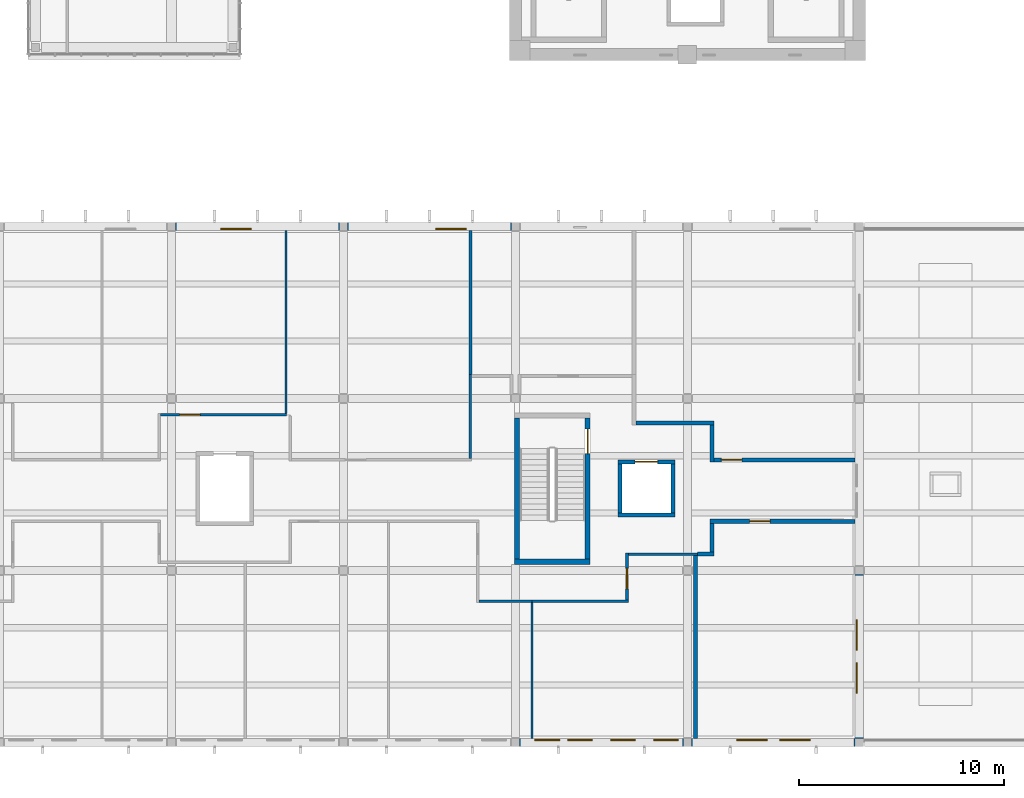
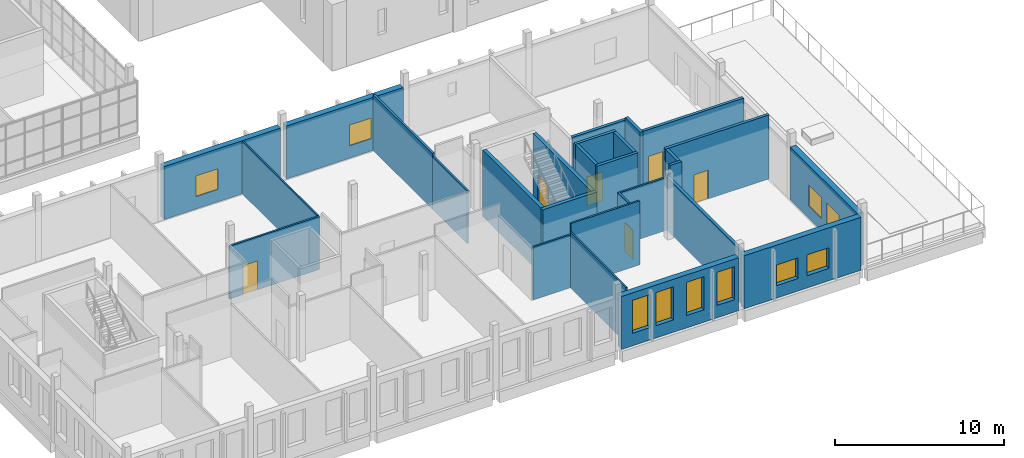
# One storey, part 51 of 103: 28 walls, 10 windows, 6 doors, 16 openings.
"""IFC4 building model written with IfcOpenShell, lengths in metres."""

from ifc_helpers import new_model, si_unit, direction, frame, frame_2d, origin, place, context, subcontext, project, spatial, rectangle, extrude, material, layer, layer_set, type_object, element, fill, save


model = new_model("IFC4")

# Units and contexts
model_context = context("Model", 3, precision=1e-05, world=origin(), true_north=direction((0.0, 1.0)))
body_context = subcontext(model_context, "Body", "Model", "MODEL_VIEW")
ifc_project = project(units=[si_unit("LENGTHUNIT", "METRE"), si_unit("AREAUNIT", "SQUARE_METRE"), si_unit("VOLUMEUNIT", "CUBIC_METRE"), si_unit("PLANEANGLEUNIT", "RADIAN"), si_unit("MASSUNIT", "GRAM", prefix="KILO")], contexts=[model_context])

# Site, building, storey
site_placement = place(None, origin())
site = spatial("IfcSite", under=ifc_project, at=site_placement, CompositionType="ELEMENT")
building_placement = place(site_placement, origin())
building = spatial("IfcBuilding", under=site, at=building_placement, Name="Larchfold Concert Hall", CompositionType="ELEMENT")
storey_placement = place(building_placement, frame((0.0, 0.0, 9.60009765625)))
storey = spatial("IfcBuildingStorey", under=building, at=storey_placement, Name="L02", CompositionType="ELEMENT", Elevation=9.60009765625)

# Wall
ifc_material_1 = material(Name="Plasterboard partition on steel studs", Category="steel")
ifc_layer_1 = layer(ifc_material_1, 0.199951171875)
ifc_layer_set_1 = layer_set([ifc_layer_1], Name="Plasterboard partition on steel studs")
wall_type_1 = type_object("IfcWallType", Name="Acoustic partition 200", PredefinedType="PARTITIONING", material=ifc_layer_set_1)
wall_1_placement = place(storey_placement, frame((43.0, 9.737548828125, 0.0), z_axis=(0.0, 0.0, 1.0), x_axis=(0.0, -1.0, 0.0)))
element("IfcWall", 1, at=wall_1_placement, inside=storey, type_object=wall_type_1, Name="Partition IW0077", PredefinedType="PARTITIONING", context=body_context, shape_type="SweptSolid", body=[
    extrude(rectangle(XDim=8.9375, YDim=0.199951171875, at=frame_2d((4.46875, 0.0))), origin(), (0.0, 0.0, 1.0), 3.840087890625),
])

# Wall, opening, door
wall_2_placement = place(storey_placement, frame((50.800048828125, 11.39990234375, 0.0), z_axis=(0.0, 0.0, 1.0), x_axis=(-0.99999998522, 0.00017192765, 0.0)))
wall_2 = element("IfcWall", 2, at=wall_2_placement, inside=storey, type_object=wall_type_1, Name="Partition IW0085", PredefinedType="PARTITIONING", context=body_context, shape_type="SweptSolid", body=[
    extrude(rectangle(XDim=7.10009765625, YDim=0.199951171875, at=frame_2d((3.550048828125, 0.0))), origin(), (0.0, 0.0, 1.0), 4.639892578125),
])
opening_1_placement = place(wall_2_placement, frame((4.159423828125, 0.0, 0.0)))
opening_1 = element("IfcOpeningElement", 3, at=opening_1_placement, cuts=wall_2, Name="Opening D-L02-128", PredefinedType="OPENING", context=body_context, shape_type="SweptSolid", body=[
    extrude(rectangle(XDim=1.0, YDim=2.10009765625, at=frame_2d((0.5, 1.050048828125))), frame((0.0, 0.10986328125, 0.0), z_axis=(0.0, -1.0, 0.0), x_axis=(1.0, 0.0, 0.0)), (0.0, 0.0, 1.0), 0.219970703125),
])
ifc_material_2 = material(Name="Timber door leaf", Category="wood")
door_type_1 = type_object("IfcDoorType", Name="Practice and studio door, acoustic 1000 x 2100 FD30S", OperationType="SINGLE_SWING_LEFT", PredefinedType="DOOR", material=ifc_material_2)
door_1_placement = place(opening_1_placement, origin())
door_1 = element("IfcDoor", 4, at=door_1_placement, inside=storey, type_object=door_type_1, Name="Door D-L02-128", OperationType="SINGLE_SWING_LEFT", OverallHeight=2.10009765625, OverallWidth=1.0, PredefinedType="DOOR", context=body_context, shape_type="SweptSolid", body=[
    extrude(rectangle(XDim=1.0, YDim=2.10009765625, at=frame_2d((0.5, 1.050048828125))), frame((0.0, 0.02490234375, 0.0), z_axis=(0.0, -1.0, 0.0), x_axis=(1.0, 0.0, 0.0)), (0.0, 0.0, 1.0), 0.050048828125),
])
fill(opening_1, door_1)

# Walls
wall_3_placement = place(storey_placement, frame((43.800048828125, 11.301025390625, 0.0), z_axis=(0.0, 0.0, 1.0), x_axis=(-0.000697471496, -0.999999756767, 0.0)))
element("IfcWall", 5, at=wall_3_placement, inside=storey, type_object=wall_type_1, Name="Partition IW0086", PredefinedType="PARTITIONING", context=body_context, shape_type="SweptSolid", body=[
    extrude(rectangle(XDim=1.400146484375, YDim=0.199951171875, at=frame_2d((0.7001953125, 0.0))), origin(), (0.0, 0.0, 1.0), 4.639892578125),
])
wall_4_placement = place(storey_placement, frame((43.89892578125, 9.801025390625, 0.0), z_axis=(0.0, 0.0, 1.0), x_axis=(-1.0, 0.0, 0.0)))
element("IfcWall", 6, at=wall_4_placement, inside=storey, type_object=wall_type_1, Name="Partition IW0087", PredefinedType="PARTITIONING", context=body_context, shape_type="SweptSolid", body=[
    extrude(rectangle(XDim=0.798828125, YDim=0.199951171875, at=frame_2d((0.3994140625, 0.0))), origin(), (0.0, 0.0, 1.0), 4.639892578125),
])
wall_5_placement = place(storey_placement, frame((40.10009765625, 16.198974609375, 0.0), z_axis=(0.0, 0.0, 1.0), x_axis=(1.0, 0.0, 0.0)))
element("IfcWall", 7, at=wall_5_placement, inside=storey, type_object=wall_type_1, Name="Partition IW0098", PredefinedType="PARTITIONING", context=body_context, shape_type="SweptSolid", body=[
    extrude(rectangle(XDim=3.798828125, YDim=0.199951171875, at=frame_2d((1.8994140625, 0.0))), origin(), (0.0, 0.0, 1.0), 3.840087890625),
])
wall_6_placement = place(storey_placement, frame((43.799072265625, 16.09912109375, 0.0), z_axis=(0.0, 0.0, 1.0), x_axis=(0.000542519926, -0.999999852836, 0.0)))
element("IfcWall", 8, at=wall_6_placement, inside=storey, type_object=wall_type_1, Name="Partition IW0099", PredefinedType="PARTITIONING", context=body_context, shape_type="SweptSolid", body=[
    extrude(rectangle(XDim=1.800048828125, YDim=0.199951171875, at=frame_2d((0.89990234375, 0.0))), origin(), (0.0, 0.0, 1.0), 4.039794921875),
])

# Wall, opening, door
wall_7_placement = place(storey_placement, frame((43.89990234375, 14.39892578125, 0.0), z_axis=(0.0, 0.0, 1.0), x_axis=(0.999999989985, 0.000141527791, 0.0)))
wall_7 = element("IfcWall", 9, at=wall_7_placement, inside=storey, type_object=wall_type_1, Name="Partition IW0100", PredefinedType="PARTITIONING", context=body_context, shape_type="SweptSolid", body=[
    extrude(rectangle(XDim=6.900146484375, YDim=0.199951171875, at=frame_2d((3.4501953125, 0.0))), origin(), (0.0, 0.0, 1.0), 4.039794921875),
])
opening_2_placement = place(wall_7_placement, frame((0.3623046875, 0.0, 0.0)))
opening_2 = element("IfcOpeningElement", 10, at=opening_2_placement, cuts=wall_7, Name="Opening D-L02-131", PredefinedType="OPENING", context=body_context, shape_type="SweptSolid", body=[
    extrude(rectangle(XDim=1.0, YDim=2.10009765625, at=frame_2d((0.5, 1.050048828125))), frame((0.0, 0.10986328125, 0.0), z_axis=(0.0, -1.0, 0.0), x_axis=(1.0, 0.0, 0.0)), (0.0, 0.0, 1.0), 0.219970703125),
])
door_2_placement = place(opening_2_placement, origin())
door_2 = element("IfcDoor", 11, at=door_2_placement, inside=storey, type_object=door_type_1, Name="Door D-L02-131", OperationType="SINGLE_SWING_LEFT", OverallHeight=2.10009765625, OverallWidth=1.0, PredefinedType="DOOR", context=body_context, shape_type="SweptSolid", body=[
    extrude(rectangle(XDim=1.0, YDim=2.10009765625, at=frame_2d((0.5, 1.050048828125))), frame((0.0, 0.02490234375, 0.0), z_axis=(0.0, -1.0, 0.0), x_axis=(1.0, 0.0, 0.0)), (0.0, 0.0, 1.0), 0.050048828125),
])
fill(opening_2, door_2)

# Walls
ifc_material_3 = material(Name="Plasterboard partition on steel studs", Category="steel")
ifc_layer_2 = layer(ifc_material_3, 0.125)
ifc_layer_set_2 = layer_set([ifc_layer_2], Name="Plasterboard partition on steel studs")
wall_type_2 = type_object("IfcWallType", Name="Corridor partition 125 EI 60", PredefinedType="PARTITIONING", material=ifc_layer_set_2)
wall_8_placement = place(storey_placement, frame((32.41259765625, 7.5, 0.0), z_axis=(0.0, 0.0, 1.0), x_axis=(1.0, 0.0, 0.0)))
element("IfcWall", 12, at=wall_8_placement, inside=storey, type_object=wall_type_2, Name="Partition IW0072", PredefinedType="PARTITIONING", context=body_context, shape_type="SweptSolid", body=[
    extrude(rectangle(XDim=2.58740234375, YDim=0.125, at=frame_2d((1.293701171875, 0.0))), origin(), (0.0, 0.0, 1.0), 3.840087890625),
])
wall_9_placement = place(storey_placement, frame((35.0, 7.5, 0.0), z_axis=(0.0, 0.0, 1.0), x_axis=(1.0, 0.0, 0.0)))
element("IfcWall", 13, at=wall_9_placement, inside=storey, type_object=wall_type_2, Name="Partition IW0074", PredefinedType="PARTITIONING", context=body_context, shape_type="SweptSolid", body=[
    extrude(rectangle(XDim=4.71240234375, YDim=0.125, at=frame_2d((2.356201171875, 0.0))), origin(), (0.0, 0.0, 1.0), 4.639892578125),
])

# Wall, opening, door
wall_10_placement = place(storey_placement, frame((39.64990234375, 7.5625, 0.0), z_axis=(0.0, 0.0, 1.0), x_axis=(0.0, 1.0, 0.0)))
wall_10 = element("IfcWall", 14, at=wall_10_placement, inside=storey, type_object=wall_type_2, Name="Partition IW0075", PredefinedType="PARTITIONING", context=body_context, shape_type="SweptSolid", body=[
    extrude(rectangle(XDim=2.300048828125, YDim=0.125, at=frame_2d((1.14990234375, 0.0))), origin(), (0.0, 0.0, 1.0), 3.840087890625),
])
opening_3_placement = place(wall_10_placement, frame((0.537353515625, 0.0, 0.0)))
opening_3 = element("IfcOpeningElement", 15, at=opening_3_placement, cuts=wall_10, Name="Opening D-L02-125", PredefinedType="OPENING", context=body_context, shape_type="SweptSolid", body=[
    extrude(rectangle(XDim=1.0, YDim=2.10009765625, at=frame_2d((0.5, 1.050048828125))), frame((0.0, 0.072509765625, 0.0), z_axis=(0.0, -1.0, 0.0), x_axis=(1.0, 0.0, 0.0)), (0.0, 0.0, 1.0), 0.14501953125),
])
ifc_material_4 = material(Name="Timber door leaf", Category="wood")
door_type_2 = type_object("IfcDoorType", Name="Room door 1000 x 2100 FD30S", OperationType="SINGLE_SWING_LEFT", PredefinedType="DOOR", material=ifc_material_4)
door_3_placement = place(opening_3_placement, origin())
door_3 = element("IfcDoor", 16, at=door_3_placement, inside=storey, type_object=door_type_2, Name="Door D-L02-125", OperationType="SINGLE_SWING_LEFT", OverallHeight=2.10009765625, OverallWidth=1.0, PredefinedType="DOOR", context=body_context, shape_type="SweptSolid", body=[
    extrude(rectangle(XDim=1.0, YDim=2.10009765625, at=frame_2d((0.5, 1.050048828125))), frame((0.0, 0.02490234375, 0.0), z_axis=(0.0, -1.0, 0.0), x_axis=(1.0, 0.0, 0.0)), (0.0, 0.0, 1.0), 0.050048828125),
])
fill(opening_3, door_3)

# Walls
wall_11_placement = place(storey_placement, frame((39.71240234375, 9.800048828125, 0.0), z_axis=(0.0, 0.0, 1.0), x_axis=(1.0, 0.0, 0.0)))
element("IfcWall", 17, at=wall_11_placement, inside=storey, type_object=wall_type_2, Name="Partition IW0076", PredefinedType="PARTITIONING", context=body_context, shape_type="SweptSolid", body=[
    extrude(rectangle(XDim=3.3876953125, YDim=0.125, at=frame_2d((1.69384765625, 0.0))), origin(), (0.0, 0.0, 1.0), 3.840087890625),
])
wall_12_placement = place(storey_placement, frame((32.0, 14.46142578125, 0.0), z_axis=(0.0, 0.0, 1.0), x_axis=(0.0, 1.0, 0.0)))
element("IfcWall", 18, at=wall_12_placement, inside=storey, type_object=wall_type_2, Name="Partition IW0096", PredefinedType="PARTITIONING", context=body_context, shape_type="SweptSolid", body=[
    extrude(rectangle(XDim=4.113525390625, YDim=0.125, at=frame_2d((2.056640625, 0.0))), origin(), (0.0, 0.0, 1.0), 3.840087890625),
])

# Wall, opening, door
wall_13_placement = place(storey_placement, frame((16.863525390625, 16.59912109375, 0.0), z_axis=(0.0, 0.0, 1.0), x_axis=(1.0, 0.0, 0.0)))
wall_13 = element("IfcWall", 19, at=wall_13_placement, inside=storey, type_object=wall_type_2, Name="Partition IW0103", PredefinedType="PARTITIONING", context=body_context, shape_type="SweptSolid", body=[
    extrude(rectangle(XDim=6.156494140625, YDim=0.125, at=frame_2d((3.078125, 0.0))), origin(), (0.0, 0.0, 1.0), 3.840087890625),
])
opening_4_placement = place(wall_13_placement, frame((0.927001953125, 0.0, 0.0)))
opening_4 = element("IfcOpeningElement", 20, at=opening_4_placement, cuts=wall_13, Name="Opening D-L02-132", PredefinedType="OPENING", context=body_context, shape_type="SweptSolid", body=[
    extrude(rectangle(XDim=1.0, YDim=2.10009765625, at=frame_2d((0.5, 1.050048828125))), frame((0.0, 0.072509765625, 0.0), z_axis=(0.0, -1.0, 0.0), x_axis=(1.0, 0.0, 0.0)), (0.0, 0.0, 1.0), 0.14501953125),
])
door_4_placement = place(opening_4_placement, origin())
door_4 = element("IfcDoor", 21, at=door_4_placement, inside=storey, type_object=door_type_2, Name="Door D-L02-132", OperationType="SINGLE_SWING_LEFT", OverallHeight=2.10009765625, OverallWidth=1.0, PredefinedType="DOOR", context=body_context, shape_type="SweptSolid", body=[
    extrude(rectangle(XDim=1.0, YDim=2.10009765625, at=frame_2d((0.5, 1.050048828125))), frame((0.0, 0.02490234375, 0.0), z_axis=(0.0, -1.0, 0.0), x_axis=(1.0, 0.0, 0.0)), (0.0, 0.0, 1.0), 0.050048828125),
])
fill(opening_4, door_4)

# Wall, openings, windows
ifc_material_5 = material(Name="Larch cladding on mineral wool and CLT", Category="wood")
ifc_layer_3 = layer(ifc_material_5, 0.39990234375)
ifc_layer_set_3 = layer_set([ifc_layer_3], Name="Larch cladding on mineral wool and CLT")
wall_type_3 = type_object("IfcWallType", Name="Larch clad infill wall 400", PredefinedType="SOLIDWALL", material=ifc_layer_set_3)
wall_14_placement = place(storey_placement, frame((51.0, 0.800048828125, 0.0), z_axis=(0.0, 0.0, 1.0), x_axis=(0.0, 1.0, 0.0)))
wall_14 = element("IfcWall", 22, at=wall_14_placement, inside=storey, type_object=wall_type_3, Name="Infill wall W5034", PredefinedType="SOLIDWALL", context=body_context, shape_type="SweptSolid", body=[
    extrude(rectangle(XDim=8.0, YDim=0.39990234375, at=frame_2d((4.0, 0.0))), origin(), (0.0, 0.0, 1.0), 3.840087890625),
])
opening_5_placement = place(wall_14_placement, frame((2.199951171875, 0.0, 0.89990234375)))
opening_5 = element("IfcOpeningElement", 23, at=opening_5_placement, cuts=wall_14, Name="Opening WN-L02-017", PredefinedType="OPENING", context=body_context, shape_type="SweptSolid", body=[
    extrude(rectangle(XDim=1.5, YDim=1.5, at=frame_2d((0.75, 0.75))), frame((0.0, 0.2099609375, 0.0), z_axis=(0.0, -1.0, 0.0), x_axis=(1.0, 0.0, 0.0)), (0.0, 0.0, 1.0), 0.419921875),
])
opening_6_placement = place(wall_14_placement, frame((4.300048828125, 0.0, 0.89990234375)))
opening_6 = element("IfcOpeningElement", 24, at=opening_6_placement, cuts=wall_14, Name="Opening WN-L02-018", PredefinedType="OPENING", context=body_context, shape_type="SweptSolid", body=[
    extrude(rectangle(XDim=1.5, YDim=1.5, at=frame_2d((0.75, 0.75))), frame((0.0, 0.2099609375, 0.0), z_axis=(0.0, -1.0, 0.0), x_axis=(1.0, 0.0, 0.0)), (0.0, 0.0, 1.0), 0.419921875),
])
ifc_material_6 = material(Name="Anodised graphite aluminium frame with glass", Category="aluminium")
window_type_1 = type_object("IfcWindowType", Name="Studio window 1500x1500", PartitioningType="DOUBLE_PANEL_VERTICAL", PredefinedType="WINDOW", material=ifc_material_6)
window_1_placement = place(opening_5_placement, origin())
window_1 = element("IfcWindow", 25, at=window_1_placement, inside=storey, type_object=window_type_1, Name="Window WN-L02-017", OverallHeight=1.5, OverallWidth=1.5, PartitioningType="DOUBLE_PANEL_VERTICAL", PredefinedType="WINDOW", context=body_context, shape_type="SweptSolid", body=[
    extrude(rectangle(XDim=1.5, YDim=1.5, at=frame_2d((0.75, 0.75))), frame((0.0, 0.150146484375, 0.0), z_axis=(0.0, -1.0, 0.0), x_axis=(1.0, 0.0, 0.0)), (0.0, 0.0, 1.0), 0.06005859375),
])
fill(opening_5, window_1)
window_2_placement = place(opening_6_placement, origin())
window_2 = element("IfcWindow", 26, at=window_2_placement, inside=storey, type_object=window_type_1, Name="Window WN-L02-018", OverallHeight=1.5, OverallWidth=1.5, PartitioningType="DOUBLE_PANEL_VERTICAL", PredefinedType="WINDOW", context=body_context, shape_type="SweptSolid", body=[
    extrude(rectangle(XDim=1.5, YDim=1.5, at=frame_2d((0.75, 0.75))), frame((0.0, 0.150146484375, 0.0), z_axis=(0.0, -1.0, 0.0), x_axis=(1.0, 0.0, 0.0)), (0.0, 0.0, 1.0), 0.06005859375),
])
fill(opening_6, window_2)

# Wall, opening, window
wall_15_placement = place(storey_placement, frame((34.0, 25.800048828125, 0.0), z_axis=(0.0, 0.0, 1.0), x_axis=(-1.0, 0.0, 0.0)))
wall_15 = element("IfcWall", 27, at=wall_15_placement, inside=storey, type_object=wall_type_3, Name="Infill wall W5039", PredefinedType="SOLIDWALL", context=body_context, shape_type="SweptSolid", body=[
    extrude(rectangle(XDim=8.0, YDim=0.39990234375, at=frame_2d((4.0, 0.0))), origin(), (0.0, 0.0, 1.0), 3.840087890625),
])
opening_7_placement = place(wall_15_placement, frame((2.199951171875, 0.0, 0.89990234375)))
opening_7 = element("IfcOpeningElement", 28, at=opening_7_placement, cuts=wall_15, Name="Opening WN-L02-023", PredefinedType="OPENING", context=body_context, shape_type="SweptSolid", body=[
    extrude(rectangle(XDim=1.5, YDim=1.5, at=frame_2d((0.75, 0.75))), frame((0.0, 0.2099609375, 0.0), z_axis=(0.0, -1.0, 0.0), x_axis=(1.0, 0.0, 0.0)), (0.0, 0.0, 1.0), 0.419921875),
])
window_3_placement = place(opening_7_placement, origin())
window_3 = element("IfcWindow", 29, at=window_3_placement, inside=storey, type_object=window_type_1, Name="Window WN-L02-023", OverallHeight=1.5, OverallWidth=1.5, PartitioningType="DOUBLE_PANEL_VERTICAL", PredefinedType="WINDOW", context=body_context, shape_type="SweptSolid", body=[
    extrude(rectangle(XDim=1.5, YDim=1.5, at=frame_2d((0.75, 0.75))), frame((0.0, 0.150146484375, 0.0), z_axis=(0.0, -1.0, 0.0), x_axis=(1.0, 0.0, 0.0)), (0.0, 0.0, 1.0), 0.06005859375),
])
fill(opening_7, window_3)

wall_16_placement = place(storey_placement, frame((25.60009765625, 25.800048828125, 0.0), z_axis=(0.0, 0.0, 1.0), x_axis=(-1.0, 0.0, 0.0)))
wall_16 = element("IfcWall", 30, at=wall_16_placement, inside=storey, type_object=wall_type_3, Name="Infill wall W5040", PredefinedType="SOLIDWALL", context=body_context, shape_type="SweptSolid", body=[
    extrude(rectangle(XDim=8.000244140625, YDim=0.39990234375, at=frame_2d((4.0, 0.0))), origin(), (0.0, 0.0, 1.0), 3.840087890625),
])
opening_8_placement = place(wall_16_placement, frame((4.300048828125, 0.0, 0.89990234375)))
opening_8 = element("IfcOpeningElement", 31, at=opening_8_placement, cuts=wall_16, Name="Opening WN-L02-024", PredefinedType="OPENING", context=body_context, shape_type="SweptSolid", body=[
    extrude(rectangle(XDim=1.5, YDim=1.5, at=frame_2d((0.75, 0.75))), frame((0.0, 0.2099609375, 0.0), z_axis=(0.0, -1.0, 0.0), x_axis=(1.0, 0.0, 0.0)), (0.0, 0.0, 1.0), 0.419921875),
])
window_4_placement = place(opening_8_placement, origin())
window_4 = element("IfcWindow", 32, at=window_4_placement, inside=storey, type_object=window_type_1, Name="Window WN-L02-024", OverallHeight=1.5, OverallWidth=1.5, PartitioningType="DOUBLE_PANEL_VERTICAL", PredefinedType="WINDOW", context=body_context, shape_type="SweptSolid", body=[
    extrude(rectangle(XDim=1.5, YDim=1.5, at=frame_2d((0.75, 0.75))), frame((0.0, 0.150146484375, 0.0), z_axis=(0.0, -1.0, 0.0), x_axis=(1.0, 0.0, 0.0)), (0.0, 0.0, 1.0), 0.06005859375),
])
fill(opening_8, window_4)

# Wall, openings, windows
wall_17_placement = place(storey_placement, frame((34.39990234375, 0.60009765625, 0.0), z_axis=(0.0, 0.0, 1.0), x_axis=(1.0, 0.0, 0.0)))
wall_17 = element("IfcWall", 33, at=wall_17_placement, inside=storey, type_object=wall_type_3, Name="Infill wall W5050", PredefinedType="SOLIDWALL", context=body_context, shape_type="SweptSolid", body=[
    extrude(rectangle(XDim=8.000244140625, YDim=0.39990234375, at=frame_2d((4.0, 0.0))), origin(), (0.0, 0.0, 1.0), 3.840087890625),
])
opening_9_placement = place(wall_17_placement, frame((0.7548828125, 0.0, 0.89990234375)))
opening_9 = element("IfcOpeningElement", 34, at=opening_9_placement, cuts=wall_17, Name="Opening WN-L02-054", PredefinedType="OPENING", context=body_context, shape_type="SweptSolid", body=[
    extrude(rectangle(XDim=1.199951171875, YDim=2.39990234375, at=frame_2d((0.60009765625, 1.199951171875))), frame((0.0, 0.2099609375, 0.0), z_axis=(0.0, -1.0, 0.0), x_axis=(1.0, 0.0, 0.0)), (0.0, 0.0, 1.0), 0.419921875),
])
opening_10_placement = place(wall_17_placement, frame((2.35009765625, 0.0, 0.89990234375)))
opening_10 = element("IfcOpeningElement", 35, at=opening_10_placement, cuts=wall_17, Name="Opening WN-L02-055", PredefinedType="OPENING", context=body_context, shape_type="SweptSolid", body=[
    extrude(rectangle(XDim=1.199951171875, YDim=2.39990234375, at=frame_2d((0.60009765625, 1.199951171875))), frame((0.0, 0.2099609375, 0.0), z_axis=(0.0, -1.0, 0.0), x_axis=(1.0, 0.0, 0.0)), (0.0, 0.0, 1.0), 0.419921875),
])
opening_11_placement = place(wall_17_placement, frame((4.4501953125, 0.0, 0.89990234375)))
opening_11 = element("IfcOpeningElement", 36, at=opening_11_placement, cuts=wall_17, Name="Opening WN-L02-056", PredefinedType="OPENING", context=body_context, shape_type="SweptSolid", body=[
    extrude(rectangle(XDim=1.199951171875, YDim=2.39990234375, at=frame_2d((0.60009765625, 1.199951171875))), frame((0.0, 0.2099609375, 0.0), z_axis=(0.0, -1.0, 0.0), x_axis=(1.0, 0.0, 0.0)), (0.0, 0.0, 1.0), 0.419921875),
])
opening_12_placement = place(wall_17_placement, frame((6.550048828125, 0.0, 0.89990234375)))
opening_12 = element("IfcOpeningElement", 37, at=opening_12_placement, cuts=wall_17, Name="Opening WN-L02-057", PredefinedType="OPENING", context=body_context, shape_type="SweptSolid", body=[
    extrude(rectangle(XDim=1.199951171875, YDim=2.39990234375, at=frame_2d((0.60009765625, 1.199951171875))), frame((0.0, 0.2099609375, 0.0), z_axis=(0.0, -1.0, 0.0), x_axis=(1.0, 0.0, 0.0)), (0.0, 0.0, 1.0), 0.419921875),
])
ifc_material_7 = material(Name="Anodised graphite aluminium frame with glass", Category="aluminium")
window_type_2 = type_object("IfcWindowType", Name="Slot window 1200x2400", PartitioningType="SINGLE_PANEL", PredefinedType="WINDOW", material=ifc_material_7)
window_5_placement = place(opening_9_placement, origin())
window_5 = element("IfcWindow", 38, at=window_5_placement, inside=storey, type_object=window_type_2, Name="Window WN-L02-054", OverallHeight=2.39990234375, OverallWidth=1.199951171875, PartitioningType="SINGLE_PANEL", PredefinedType="WINDOW", context=body_context, shape_type="SweptSolid", body=[
    extrude(rectangle(XDim=1.199951171875, YDim=2.39990234375, at=frame_2d((0.60009765625, 1.199951171875))), frame((0.0, 0.150146484375, 0.0), z_axis=(0.0, -1.0, 0.0), x_axis=(1.0, 0.0, 0.0)), (0.0, 0.0, 1.0), 0.06005859375),
])
fill(opening_9, window_5)
window_6_placement = place(opening_10_placement, origin())
window_6 = element("IfcWindow", 39, at=window_6_placement, inside=storey, type_object=window_type_2, Name="Window WN-L02-055", OverallHeight=2.39990234375, OverallWidth=1.199951171875, PartitioningType="SINGLE_PANEL", PredefinedType="WINDOW", context=body_context, shape_type="SweptSolid", body=[
    extrude(rectangle(XDim=1.199951171875, YDim=2.39990234375, at=frame_2d((0.60009765625, 1.199951171875))), frame((0.0, 0.150146484375, 0.0), z_axis=(0.0, -1.0, 0.0), x_axis=(1.0, 0.0, 0.0)), (0.0, 0.0, 1.0), 0.06005859375),
])
fill(opening_10, window_6)
window_7_placement = place(opening_11_placement, origin())
window_7 = element("IfcWindow", 40, at=window_7_placement, inside=storey, type_object=window_type_2, Name="Window WN-L02-056", OverallHeight=2.39990234375, OverallWidth=1.199951171875, PartitioningType="SINGLE_PANEL", PredefinedType="WINDOW", context=body_context, shape_type="SweptSolid", body=[
    extrude(rectangle(XDim=1.199951171875, YDim=2.39990234375, at=frame_2d((0.60009765625, 1.199951171875))), frame((0.0, 0.150146484375, 0.0), z_axis=(0.0, -1.0, 0.0), x_axis=(1.0, 0.0, 0.0)), (0.0, 0.0, 1.0), 0.06005859375),
])
fill(opening_11, window_7)
window_8_placement = place(opening_12_placement, origin())
window_8 = element("IfcWindow", 41, at=window_8_placement, inside=storey, type_object=window_type_2, Name="Window WN-L02-057", OverallHeight=2.39990234375, OverallWidth=1.199951171875, PartitioningType="SINGLE_PANEL", PredefinedType="WINDOW", context=body_context, shape_type="SweptSolid", body=[
    extrude(rectangle(XDim=1.199951171875, YDim=2.39990234375, at=frame_2d((0.60009765625, 1.199951171875))), frame((0.0, 0.150146484375, 0.0), z_axis=(0.0, -1.0, 0.0), x_axis=(1.0, 0.0, 0.0)), (0.0, 0.0, 1.0), 0.06005859375),
])
fill(opening_12, window_8)

wall_18_placement = place(storey_placement, frame((42.800048828125, 0.60009765625, 0.0), z_axis=(0.0, 0.0, 1.0), x_axis=(1.0, 0.0, 0.0)))
wall_18 = element("IfcWall", 42, at=wall_18_placement, inside=storey, type_object=wall_type_3, Name="Infill wall W5051", PredefinedType="SOLIDWALL", context=body_context, shape_type="SweptSolid", body=[
    extrude(rectangle(XDim=8.0, YDim=0.39990234375, at=frame_2d((4.0, 0.0))), origin(), (0.0, 0.0, 1.0), 3.840087890625),
])
opening_13_placement = place(wall_18_placement, frame((2.199951171875, 0.0, 0.89990234375)))
opening_13 = element("IfcOpeningElement", 43, at=opening_13_placement, cuts=wall_18, Name="Opening WN-L02-058", PredefinedType="OPENING", context=body_context, shape_type="SweptSolid", body=[
    extrude(rectangle(XDim=1.5, YDim=1.5, at=frame_2d((0.75, 0.75))), frame((0.0, 0.2099609375, 0.0), z_axis=(0.0, -1.0, 0.0), x_axis=(1.0, 0.0, 0.0)), (0.0, 0.0, 1.0), 0.419921875),
])
opening_14_placement = place(wall_18_placement, frame((4.300048828125, 0.0, 0.89990234375)))
opening_14 = element("IfcOpeningElement", 44, at=opening_14_placement, cuts=wall_18, Name="Opening WN-L02-059", PredefinedType="OPENING", context=body_context, shape_type="SweptSolid", body=[
    extrude(rectangle(XDim=1.5, YDim=1.5, at=frame_2d((0.75, 0.75))), frame((0.0, 0.2099609375, 0.0), z_axis=(0.0, -1.0, 0.0), x_axis=(1.0, 0.0, 0.0)), (0.0, 0.0, 1.0), 0.419921875),
])
window_9_placement = place(opening_13_placement, origin())
window_9 = element("IfcWindow", 45, at=window_9_placement, inside=storey, type_object=window_type_1, Name="Window WN-L02-058", OverallHeight=1.5, OverallWidth=1.5, PartitioningType="DOUBLE_PANEL_VERTICAL", PredefinedType="WINDOW", context=body_context, shape_type="SweptSolid", body=[
    extrude(rectangle(XDim=1.5, YDim=1.5, at=frame_2d((0.75, 0.75))), frame((0.0, 0.150146484375, 0.0), z_axis=(0.0, -1.0, 0.0), x_axis=(1.0, 0.0, 0.0)), (0.0, 0.0, 1.0), 0.06005859375),
])
fill(opening_13, window_9)
window_10_placement = place(opening_14_placement, origin())
window_10 = element("IfcWindow", 46, at=window_10_placement, inside=storey, type_object=window_type_1, Name="Window WN-L02-059", OverallHeight=1.5, OverallWidth=1.5, PartitioningType="DOUBLE_PANEL_VERTICAL", PredefinedType="WINDOW", context=body_context, shape_type="SweptSolid", body=[
    extrude(rectangle(XDim=1.5, YDim=1.5, at=frame_2d((0.75, 0.75))), frame((0.0, 0.150146484375, 0.0), z_axis=(0.0, -1.0, 0.0), x_axis=(1.0, 0.0, 0.0)), (0.0, 0.0, 1.0), 0.06005859375),
])
fill(opening_14, window_10)

# Walls
ifc_material_8 = material(Name="Plasterboard partition on steel studs", Category="steel")
ifc_layer_4 = layer(ifc_material_8, 0.14990234375)
ifc_layer_set_4 = layer_set([ifc_layer_4], Name="Plasterboard partition on steel studs")
wall_type_4 = type_object("IfcWallType", Name="Shaft and plant partition 150 EI 120", PredefinedType="PARTITIONING", material=ifc_layer_set_4)
wall_19_placement = place(storey_placement, frame((32.0, 25.60009765625, 0.0), z_axis=(0.0, 0.0, 1.0), x_axis=(0.0, -1.0, 0.0)))
element("IfcWall", 47, at=wall_19_placement, inside=storey, type_object=wall_type_4, Name="Partition IW0110", PredefinedType="PARTITIONING", context=body_context, shape_type="SweptSolid", body=[
    extrude(rectangle(XDim=7.025146484375, YDim=0.14990234375, at=frame_2d((3.5126953125, 0.0))), origin(), (0.0, 0.0, 1.0), 4.039794921875),
])
ifc_material_9 = material(Name="Plasterboard partition on steel studs", Category="steel")
ifc_layer_5 = layer(ifc_material_9, 0.10009765625)
ifc_layer_set_5 = layer_set([ifc_layer_5], Name="Plasterboard partition on steel studs")
wall_type_5 = type_object("IfcWallType", Name="Stud partition 100", PredefinedType="PARTITIONING", material=ifc_layer_set_5)
wall_20_placement = place(storey_placement, frame((35.0, 7.4375, 0.0), z_axis=(0.0, 0.0, 1.0), x_axis=(0.0, -1.0, 0.0)))
element("IfcWall", 48, at=wall_20_placement, inside=storey, type_object=wall_type_5, Name="Partition IW0069", PredefinedType="PARTITIONING", context=body_context, shape_type="SweptSolid", body=[
    extrude(rectangle(XDim=6.637451171875, YDim=0.10009765625, at=frame_2d((3.31884765625, 0.0))), origin(), (0.0, 0.0, 1.0), 4.039794921875),
])
wall_21_placement = place(storey_placement, frame((23.0, 16.6650390625, 0.0), z_axis=(0.0, 0.0, 1.0), x_axis=(0.0, 1.0, 0.0)))
element("IfcWall", 49, at=wall_21_placement, inside=storey, type_object=wall_type_5, Name="Partition IW0109", PredefinedType="PARTITIONING", context=body_context, shape_type="SweptSolid", body=[
    extrude(rectangle(XDim=8.93505859375, YDim=0.10009765625, at=frame_2d((4.467529296875, 0.0))), origin(), (0.0, 0.0, 1.0), 3.840087890625),
])
ifc_material_10 = material(Name="Concrete C40/50", Category="concrete")
ifc_layer_6 = layer(ifc_material_10, 0.199951171875)
ifc_layer_set_6 = layer_set([ifc_layer_6], Name="Concrete C40/50")
wall_type_6 = type_object("IfcWallType", Name="Wall RC 200 lift shaft", PredefinedType="SOLIDWALL", material=ifc_layer_set_6)
wall_22_placement = place(storey_placement, frame((39.199951171875, 11.7001953125, 0.0), z_axis=(0.0, 0.0, 1.0), x_axis=(1.0, 0.0, 0.0)))
element("IfcWall", 50, at=wall_22_placement, inside=storey, type_object=wall_type_6, Name="Wall W0167", PredefinedType="SOLIDWALL", context=body_context, shape_type="SweptSolid", body=[
    extrude(rectangle(XDim=2.800048828125, YDim=0.199951171875, at=frame_2d((1.39990234375, 0.0))), origin(), (0.0, 0.0, 1.0), 4.7998046875),
])

# Wall, opening, door
wall_23_placement = place(storey_placement, frame((39.199951171875, 14.2998046875, 0.0), z_axis=(0.0, 0.0, 1.0), x_axis=(1.0, 0.0, 0.0)))
wall_23 = element("IfcWall", 51, at=wall_23_placement, inside=storey, type_object=wall_type_6, Name="Wall W0168", PredefinedType="SOLIDWALL", context=body_context, shape_type="SweptSolid", body=[
    extrude(rectangle(XDim=2.800048828125, YDim=0.199951171875, at=frame_2d((1.39990234375, 0.0))), origin(), (0.0, 0.0, 1.0), 4.7998046875),
])
opening_15_placement = place(wall_23_placement, frame((0.85009765625, 0.0, 0.0)))
opening_15 = element("IfcOpeningElement", 52, at=opening_15_placement, cuts=wall_23, Name="Opening LD-LF11", PredefinedType="OPENING", context=body_context, shape_type="SweptSolid", body=[
    extrude(rectangle(XDim=1.10009765625, YDim=2.10009765625, at=frame_2d((0.550048828125, 1.050048828125))), frame((0.0, 0.10986328125, 0.0), z_axis=(0.0, -1.0, 0.0), x_axis=(1.0, 0.0, 0.0)), (0.0, 0.0, 1.0), 0.219970703125),
])
ifc_material_11 = material(Name="Stainless steel sliding leaves", Category="steel")
door_type_3 = type_object("IfcDoorType", Name="Lift landing door sliding 1100 x 2100", OperationType="SLIDING_TO_LEFT", PredefinedType="DOOR", material=ifc_material_11)
door_5_placement = place(opening_15_placement, origin())
door_5 = element("IfcDoor", 53, at=door_5_placement, inside=storey, type_object=door_type_3, Name="Lift landing door LF11", OperationType="SLIDING_TO_LEFT", OverallHeight=2.10009765625, OverallWidth=1.10009765625, PredefinedType="DOOR", context=body_context, shape_type="SweptSolid", body=[
    extrude(rectangle(XDim=1.10009765625, YDim=2.10009765625, at=frame_2d((0.550048828125, 1.050048828125))), frame((0.0, 0.02490234375, 0.0), z_axis=(0.0, -1.0, 0.0), x_axis=(1.0, 0.0, 0.0)), (0.0, 0.0, 1.0), 0.050048828125),
])
fill(opening_15, door_5)

# Walls
for number, where, z_axis, x_axis, name in (
    (54, (39.300048828125, 11.800048828125, 0.0), (0.0, 0.0, 1.0), (0.0, 1.0, 0.0), "Wall W0169"),
    (55, (41.89990234375, 11.800048828125, 0.0), (0.0, 0.0, 1.0), (0.0, 1.0, 0.0), "Wall W0170"),
):
    element("IfcWall", number, at=place(storey_placement, frame(where, z_axis=z_axis, x_axis=x_axis)), inside=storey, type_object=wall_type_6, Name=name, PredefinedType="SOLIDWALL", context=body_context, shape_type="SweptSolid", body=[
        extrude(rectangle(XDim=2.39990234375, YDim=0.199951171875, at=frame_2d((1.199951171875, 0.0))), origin(), (0.0, 0.0, 1.0), 4.7998046875),
    ])
ifc_material_12 = material(Name="Concrete C40/50", Category="concrete")
ifc_layer_7 = layer(ifc_material_12, 0.25)
ifc_layer_set_7 = layer_set([ifc_layer_7], Name="Concrete C40/50")
wall_type_7 = type_object("IfcWallType", Name="Wall RC 250 stair core", PredefinedType="SOLIDWALL", material=ifc_layer_set_7)
wall_24_placement = place(storey_placement, frame((34.14990234375, 9.425048828125, 0.0), z_axis=(0.0, 0.0, 1.0), x_axis=(1.0, 0.0, 0.0)))
element("IfcWall", 56, at=wall_24_placement, inside=storey, type_object=wall_type_7, Name="Wall W0107", PredefinedType="SOLIDWALL", context=body_context, shape_type="SweptSolid", body=[
    extrude(rectangle(XDim=3.7001953125, YDim=0.25, at=frame_2d((1.85009765625, 0.0))), origin(), (0.0, 0.0, 1.0), 4.7998046875),
])
wall_25_placement = place(storey_placement, frame((34.27490234375, 9.550048828125, 0.0), z_axis=(0.0, 0.0, 1.0), x_axis=(0.0, 1.0, 0.0)))
element("IfcWall", 57, at=wall_25_placement, inside=storey, type_object=wall_type_7, Name="Wall W0109", PredefinedType="SOLIDWALL", context=body_context, shape_type="SweptSolid", body=[
    extrude(rectangle(XDim=6.89990234375, YDim=0.25, at=frame_2d((3.449951171875, 0.0))), origin(), (0.0, 0.0, 1.0), 4.7998046875),
])

# Wall, opening, door
wall_26_placement = place(storey_placement, frame((37.72509765625, 9.550048828125, 0.0), z_axis=(0.0, 0.0, 1.0), x_axis=(0.0, 1.0, 0.0)))
wall_26 = element("IfcWall", 58, at=wall_26_placement, inside=storey, type_object=wall_type_7, Name="Wall W0110", PredefinedType="SOLIDWALL", context=body_context, shape_type="SweptSolid", body=[
    extrude(rectangle(XDim=6.89990234375, YDim=0.25, at=frame_2d((3.449951171875, 0.0))), origin(), (0.0, 0.0, 1.0), 4.7998046875),
])
opening_16_placement = place(wall_26_placement, frame((5.14990234375, 0.0, 0.0)))
opening_16 = element("IfcOpeningElement", 59, at=opening_16_placement, cuts=wall_26, Name="Opening D-L02-156", PredefinedType="OPENING", context=body_context, shape_type="SweptSolid", body=[
    extrude(rectangle(XDim=1.199951171875, YDim=2.10009765625, at=frame_2d((0.60009765625, 1.050048828125))), frame((0.0, 0.135009765625, 0.0), z_axis=(0.0, -1.0, 0.0), x_axis=(1.0, 0.0, 0.0)), (0.0, 0.0, 1.0), 0.27001953125),
])
ifc_material_13 = material(Name="Timber door leaf", Category="wood")
door_type_4 = type_object("IfcDoorType", Name="Stair enclosure door pair 1200 x 2100 FD60", OperationType="SINGLE_SWING_LEFT", PredefinedType="DOOR", material=ifc_material_13)
door_6_placement = place(opening_16_placement, origin())
door_6 = element("IfcDoor", 60, at=door_6_placement, inside=storey, type_object=door_type_4, Name="Door D-L02-156", OperationType="DOUBLE_DOOR_SINGLE_SWING", OverallHeight=2.10009765625, OverallWidth=1.199951171875, PredefinedType="DOOR", context=body_context, shape_type="SweptSolid", body=[
    extrude(rectangle(XDim=1.199951171875, YDim=2.10009765625, at=frame_2d((0.60009765625, 1.050048828125))), frame((0.0, 0.02490234375, 0.0), z_axis=(0.0, -1.0, 0.0), x_axis=(1.0, 0.0, 0.0)), (0.0, 0.0, 1.0), 0.050048828125),
])
fill(opening_16, door_6)

save(model, "model.ifc")
